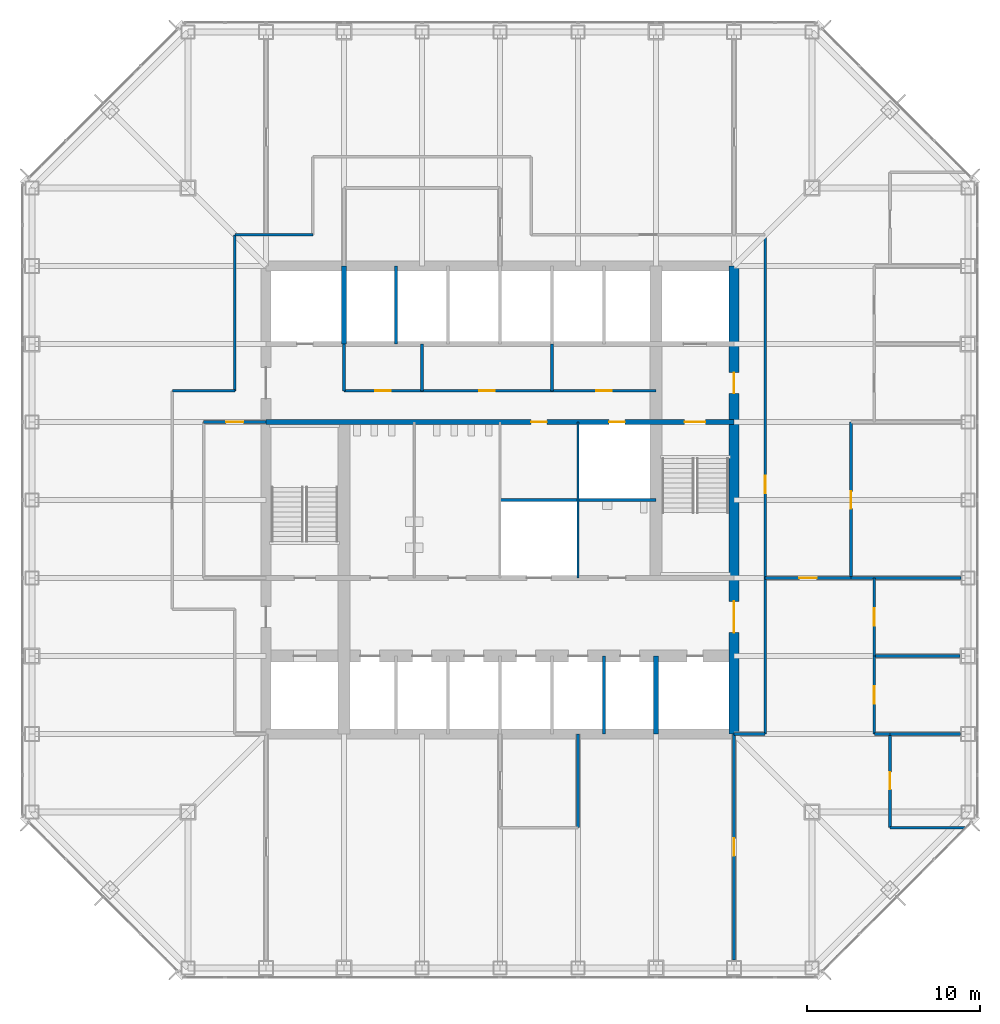
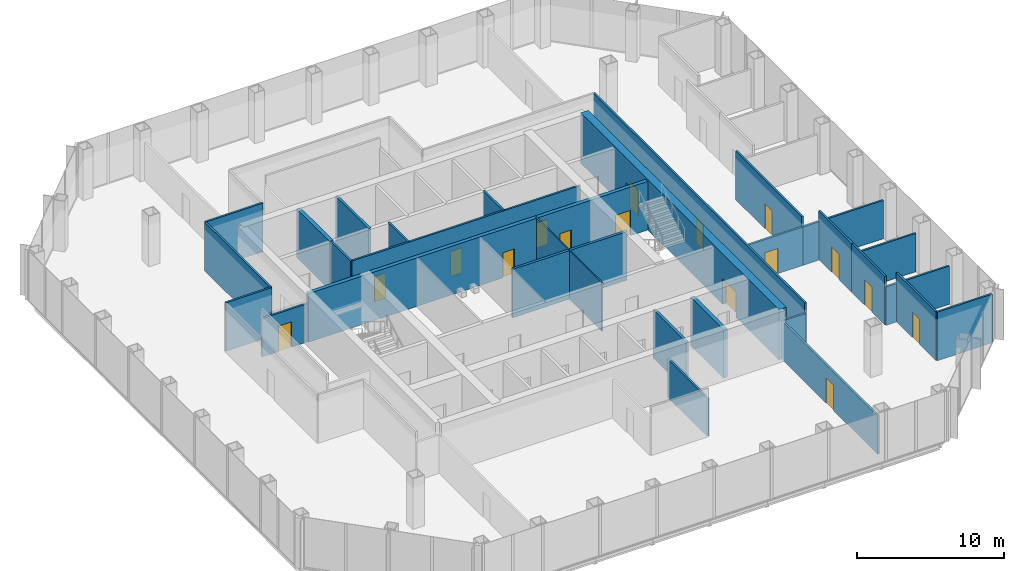
# One storey, part 9 of 12: 30 walls, 16 doors, 16 openings.
"""IFC4 building model written with IfcOpenShell, lengths in metres."""

from ifc_helpers import new_model, si_unit, direction, frame, frame_2d, origin, place, context, subcontext, project, spatial, rectangle, extrude, material, layer, layer_set, type_object, element, fill, save


model = new_model("IFC4")

# Units and contexts
model_context = context("Model", 3, precision=1e-05, world=origin(), true_north=direction((0.0, 1.0)))
body_context = subcontext(model_context, "Body", "Model", "MODEL_VIEW")
ifc_project = project(units=[si_unit("LENGTHUNIT", "METRE"), si_unit("AREAUNIT", "SQUARE_METRE"), si_unit("VOLUMEUNIT", "CUBIC_METRE"), si_unit("PLANEANGLEUNIT", "RADIAN"), si_unit("MASSUNIT", "GRAM", prefix="KILO")], contexts=[model_context])

# Site, building, storey
site_placement = place(None, origin())
site = spatial("IfcSite", under=ifc_project, at=site_placement, CompositionType="ELEMENT")
building_placement = place(site_placement, origin())
building = spatial("IfcBuilding", under=site, at=building_placement, Name="Corais Broadcast Tower", CompositionType="ELEMENT")
storey_placement = place(building_placement, frame((0.0, 0.0, 71.0)))
storey = spatial("IfcBuildingStorey", under=building, at=storey_placement, Name="L15", CompositionType="ELEMENT", Elevation=71.0)

# Walls
ifc_material_1 = material(Name="Concrete blockwork class A, grouted, two-hour", Category="masonry")
ifc_layer_1 = layer(ifc_material_1, 0.300048828125)
ifc_layer_set_1 = layer_set([ifc_layer_1], Name="Concrete blockwork class A, grouted, two-hour")
wall_type_1 = type_object("IfcWallType", Name="Core lobby wall 300", PredefinedType="SOLIDWALL", material=ifc_layer_set_1)
for number, where, z_axis, x_axis, name in (
    (1, (18.0, 36.0, 0.0), (0.0, 0.0, 1.0), (0.0, 1.0, 0.0), "CL1 core shaft wall X18B L15"),
    (2, (36.0, 13.5, 0.0), (0.0, 0.0, 1.0), (0.0, 1.0, 0.0), "CL1 core shaft wall X36A L15"),
):
    element("IfcWall", number, at=place(storey_placement, frame(where, z_axis=z_axis, x_axis=x_axis)), inside=storey, type_object=wall_type_1, Name=name, PredefinedType="SOLIDWALL", context=body_context, shape_type="SweptSolid", body=[
        extrude(rectangle(XDim=4.5, YDim=0.300048828125, at=frame_2d((2.25, 0.0))), origin(), (0.0, 0.0, 1.0), 4.0400390625),
    ])

# Wall, openings, doors
wall_1_placement = place(storey_placement, frame((13.5, 31.5, 0.0), z_axis=(0.0, 0.0, 1.0), x_axis=(1.0, 0.0, 0.0)))
wall_1 = element("IfcWall", 3, at=wall_1_placement, inside=storey, type_object=wall_type_1, Name="CL1 core lobby wall Y315 L15", PredefinedType="SOLIDWALL", context=body_context, shape_type="SweptSolid", body=[
    extrude(rectangle(XDim=27.0, YDim=0.300048828125, at=frame_2d((13.5, 0.0))), origin(), (0.0, 0.0, 1.0), 4.0400390625),
])
opening_1_placement = place(wall_1_placement, frame((24.14990234375, 0.0, 0.0)))
opening_1 = element("IfcOpeningElement", 4, at=opening_1_placement, cuts=wall_1, Name="Opening FD1", PredefinedType="OPENING", context=body_context, shape_type="SweptSolid", body=[
    extrude(rectangle(XDim=1.199951171875, YDim=2.10009765625, at=frame_2d((0.60009765625, 1.050048828125))), frame((0.0, 0.159912109375, 0.0), z_axis=(0.0, -1.0, 0.0), x_axis=(1.0, 0.0, 0.0)), (0.0, 0.0, 1.0), 0.320068359375),
])
opening_2_placement = place(wall_1_placement, frame((15.300048828125, 0.0, 0.0)))
opening_2 = element("IfcOpeningElement", 5, at=opening_2_placement, cuts=wall_1, Name="Opening RD1", PredefinedType="OPENING", context=body_context, shape_type="SweptSolid", body=[
    extrude(rectangle(XDim=0.89990234375, YDim=2.10009765625, at=frame_2d((0.449951171875, 1.050048828125))), frame((0.0, 0.159912109375, 0.0), z_axis=(0.0, -1.0, 0.0), x_axis=(1.0, 0.0, 0.0)), (0.0, 0.0, 1.0), 0.320068359375),
])
opening_3_placement = place(wall_1_placement, frame((19.800048828125, 0.0, 0.0)))
opening_3 = element("IfcOpeningElement", 6, at=opening_3_placement, cuts=wall_1, Name="Opening RD1", PredefinedType="OPENING", context=body_context, shape_type="SweptSolid", body=[
    extrude(rectangle(XDim=0.89990234375, YDim=2.10009765625, at=frame_2d((0.449951171875, 1.050048828125))), frame((0.0, 0.159912109375, 0.0), z_axis=(0.0, -1.0, 0.0), x_axis=(1.0, 0.0, 0.0)), (0.0, 0.0, 1.0), 0.320068359375),
])
ifc_material_2 = material(Name="Steel fire door", Category="steel")
door_type_1 = type_object("IfcDoorType", Name="Fire door 1200x2100", OperationType="SINGLE_SWING_LEFT", PredefinedType="DOOR", material=ifc_material_2)
door_1_placement = place(opening_1_placement, origin())
door_1 = element("IfcDoor", 7, at=door_1_placement, inside=storey, type_object=door_type_1, Name="FD1 stair B door L15", OperationType="SINGLE_SWING_RIGHT", OverallHeight=2.10009765625, OverallWidth=1.199951171875, PredefinedType="DOOR", context=body_context, shape_type="SweptSolid", body=[
    extrude(rectangle(XDim=1.199951171875, YDim=2.10009765625, at=frame_2d((0.60009765625, 1.050048828125))), frame((0.0, 0.02490234375, 0.0), z_axis=(0.0, -1.0, 0.0), x_axis=(1.0, 0.0, 0.0)), (0.0, 0.0, 1.0), 0.050048828125),
])
fill(opening_1, door_1)
ifc_material_3 = material(Name="Steel fire door", Category="steel")
door_type_2 = type_object("IfcDoorType", Name="Riser door 900x2100", OperationType="SINGLE_SWING_LEFT", PredefinedType="DOOR", material=ifc_material_3)
door_2_placement = place(opening_2_placement, origin())
door_2 = element("IfcDoor", 8, at=door_2_placement, inside=storey, type_object=door_type_2, Name="RD1 cleaner's store door L15", OperationType="SINGLE_SWING_RIGHT", OverallHeight=2.10009765625, OverallWidth=0.89990234375, PredefinedType="DOOR", context=body_context, shape_type="SweptSolid", body=[
    extrude(rectangle(XDim=0.89990234375, YDim=2.10009765625, at=frame_2d((0.449951171875, 1.050048828125))), frame((0.0, 0.02490234375, 0.0), z_axis=(0.0, -1.0, 0.0), x_axis=(1.0, 0.0, 0.0)), (0.0, 0.0, 1.0), 0.050048828125),
])
fill(opening_2, door_2)
door_3_placement = place(opening_3_placement, origin())
door_3 = element("IfcDoor", 9, at=door_3_placement, inside=storey, type_object=door_type_2, Name="RD1 riser door L15", OperationType="SINGLE_SWING_RIGHT", OverallHeight=2.10009765625, OverallWidth=0.89990234375, PredefinedType="DOOR", context=body_context, shape_type="SweptSolid", body=[
    extrude(rectangle(XDim=0.89990234375, YDim=2.10009765625, at=frame_2d((0.449951171875, 1.050048828125))), frame((0.0, 0.02490234375, 0.0), z_axis=(0.0, -1.0, 0.0), x_axis=(1.0, 0.0, 0.0)), (0.0, 0.0, 1.0), 0.050048828125),
])
fill(opening_3, door_3)

ifc_material_4 = material(Name="Concrete C50/60", Category="concrete")
ifc_layer_2 = layer(ifc_material_4, 0.60009765625)
ifc_layer_set_2 = layer_set([ifc_layer_2], Name="Concrete C50/60")
wall_type_2 = type_object("IfcWallType", Name="Core wall 600", PredefinedType="SHEAR", material=ifc_layer_set_2)
wall_2_placement = place(storey_placement, frame((40.5, 13.5, 0.0), z_axis=(0.0, 0.0, 1.0), x_axis=(0.0, 1.0, 0.0)))
wall_2 = element("IfcWall", 10, at=wall_2_placement, inside=storey, type_object=wall_type_2, Name="CR600 core wall E L15", PredefinedType="SHEAR", context=body_context, shape_type="SweptSolid", body=[
    extrude(rectangle(XDim=27.0, YDim=0.60009765625, at=frame_2d((13.5, 0.0))), origin(), (0.0, 0.0, 1.0), 4.199951171875),
])
opening_4_placement = place(wall_2_placement, frame((5.85009765625, 0.0, 0.0)))
opening_4 = element("IfcOpeningElement", 11, at=opening_4_placement, cuts=wall_2, Name="Opening FD2", PredefinedType="OPENING", context=body_context, shape_type="SweptSolid", body=[
    extrude(rectangle(XDim=1.800048828125, YDim=2.10009765625, at=frame_2d((0.89990234375, 1.050048828125))), frame((0.0, 0.31005859375, 0.0), z_axis=(0.0, -1.0, 0.0), x_axis=(1.0, 0.0, 0.0)), (0.0, 0.0, 1.0), 0.6201171875),
])
opening_5_placement = place(wall_2_placement, frame((19.64990234375, 0.0, 0.0)))
opening_5 = element("IfcOpeningElement", 12, at=opening_5_placement, cuts=wall_2, Name="Opening FD1", PredefinedType="OPENING", context=body_context, shape_type="SweptSolid", body=[
    extrude(rectangle(XDim=1.199951171875, YDim=2.10009765625, at=frame_2d((0.60009765625, 1.050048828125))), frame((0.0, 0.31005859375, 0.0), z_axis=(0.0, -1.0, 0.0), x_axis=(1.0, 0.0, 0.0)), (0.0, 0.0, 1.0), 0.6201171875),
])
door_4_placement = place(opening_5_placement, origin())
door_4 = element("IfcDoor", 13, at=door_4_placement, inside=storey, type_object=door_type_1, Name="FD1 fire lobby B door L15", OperationType="SINGLE_SWING_RIGHT", OverallHeight=2.10009765625, OverallWidth=1.199951171875, PredefinedType="DOOR", context=body_context, shape_type="SweptSolid", body=[
    extrude(rectangle(XDim=1.199951171875, YDim=2.10009765625, at=frame_2d((0.60009765625, 1.050048828125))), frame((0.0, 0.02490234375, 0.0), z_axis=(0.0, -1.0, 0.0), x_axis=(1.0, 0.0, 0.0)), (0.0, 0.0, 1.0), 0.050048828125),
])
fill(opening_5, door_4)
ifc_material_5 = material(Name="Steel fire door", Category="steel")
door_type_3 = type_object("IfcDoorType", Name="Fire door pair 1800x2100", OperationType="DOUBLE_DOOR_SINGLE_SWING", PredefinedType="DOOR", material=ifc_material_5)
door_5_placement = place(opening_4_placement, origin())
door_5 = element("IfcDoor", 14, at=door_5_placement, inside=storey, type_object=door_type_3, Name="FD2 lift lobby door L15", OperationType="SINGLE_SWING_LEFT", OverallHeight=2.10009765625, OverallWidth=1.800048828125, PredefinedType="DOOR", context=body_context, shape_type="SweptSolid", body=[
    extrude(rectangle(XDim=1.800048828125, YDim=2.10009765625, at=frame_2d((0.89990234375, 1.050048828125))), frame((0.0, 0.02490234375, 0.0), z_axis=(0.0, -1.0, 0.0), x_axis=(1.0, 0.0, 0.0)), (0.0, 0.0, 1.0), 0.050048828125),
])
fill(opening_4, door_5)

ifc_material_6 = material(Name="Two layers of fire-rated gypsum board each side on steel studs", Category="steel")
ifc_layer_3 = layer(ifc_material_6, 0.14990234375)
ifc_layer_set_3 = layer_set([ifc_layer_3], Name="Two layers of fire-rated gypsum board each side on steel studs")
wall_type_3 = type_object("IfcWallType", Name="Fire-rated partition 150 EI 60", PredefinedType="PARTITIONING", material=ifc_layer_set_3)
wall_3_placement = place(storey_placement, frame((18.0, 33.300048828125, 0.0), z_axis=(0.0, 0.0, 1.0), x_axis=(1.0, 0.0, 0.0)))
wall_3 = element("IfcWall", 15, at=wall_3_placement, inside=storey, type_object=wall_type_3, Name="IW7 partition L15", PredefinedType="PARTITIONING", context=body_context, shape_type="SweptSolid", body=[
    extrude(rectangle(XDim=18.0, YDim=0.14990234375, at=frame_2d((9.0, 0.0))), origin(), (0.0, 0.0, 1.0), 4.0400390625),
])
opening_6_placement = place(wall_3_placement, frame((1.800048828125, 0.0, 0.0)))
opening_6 = element("IfcOpeningElement", 16, at=opening_6_placement, cuts=wall_3, Name="Opening RD1", PredefinedType="OPENING", context=body_context, shape_type="SweptSolid", body=[
    extrude(rectangle(XDim=0.89990234375, YDim=2.10009765625, at=frame_2d((0.449951171875, 1.050048828125))), frame((0.0, 0.0849609375, 0.0), z_axis=(0.0, -1.0, 0.0), x_axis=(1.0, 0.0, 0.0)), (0.0, 0.0, 1.0), 0.169921875),
])
opening_7_placement = place(wall_3_placement, frame((7.800048828125, 0.0, 0.0)))
opening_7 = element("IfcOpeningElement", 17, at=opening_7_placement, cuts=wall_3, Name="Opening RD1", PredefinedType="OPENING", context=body_context, shape_type="SweptSolid", body=[
    extrude(rectangle(XDim=0.89990234375, YDim=2.10009765625, at=frame_2d((0.449951171875, 1.050048828125))), frame((0.0, 0.0849609375, 0.0), z_axis=(0.0, -1.0, 0.0), x_axis=(1.0, 0.0, 0.0)), (0.0, 0.0, 1.0), 0.169921875),
])
opening_8_placement = place(wall_3_placement, frame((14.550048828125, 0.0, 0.0)))
opening_8 = element("IfcOpeningElement", 18, at=opening_8_placement, cuts=wall_3, Name="Opening RD1", PredefinedType="OPENING", context=body_context, shape_type="SweptSolid", body=[
    extrude(rectangle(XDim=0.89990234375, YDim=2.10009765625, at=frame_2d((0.449951171875, 1.050048828125))), frame((0.0, 0.0849609375, 0.0), z_axis=(0.0, -1.0, 0.0), x_axis=(1.0, 0.0, 0.0)), (0.0, 0.0, 1.0), 0.169921875),
])
door_6_placement = place(opening_6_placement, origin())
door_6 = element("IfcDoor", 19, at=door_6_placement, inside=storey, type_object=door_type_2, Name="RD1 first aid room door L15", OperationType="SINGLE_SWING_LEFT", OverallHeight=2.10009765625, OverallWidth=0.89990234375, PredefinedType="DOOR", context=body_context, shape_type="SweptSolid", body=[
    extrude(rectangle(XDim=0.89990234375, YDim=2.10009765625, at=frame_2d((0.449951171875, 1.050048828125))), frame((0.0, 0.02490234375, 0.0), z_axis=(0.0, -1.0, 0.0), x_axis=(1.0, 0.0, 0.0)), (0.0, 0.0, 1.0), 0.050048828125),
])
fill(opening_6, door_6)
door_7_placement = place(opening_7_placement, origin())
door_7 = element("IfcDoor", 20, at=door_7_placement, inside=storey, type_object=door_type_2, Name="RD1 print room door L15", OperationType="SINGLE_SWING_LEFT", OverallHeight=2.10009765625, OverallWidth=0.89990234375, PredefinedType="DOOR", context=body_context, shape_type="SweptSolid", body=[
    extrude(rectangle(XDim=0.89990234375, YDim=2.10009765625, at=frame_2d((0.449951171875, 1.050048828125))), frame((0.0, 0.02490234375, 0.0), z_axis=(0.0, -1.0, 0.0), x_axis=(1.0, 0.0, 0.0)), (0.0, 0.0, 1.0), 0.050048828125),
])
fill(opening_7, door_7)
door_8_placement = place(opening_8_placement, origin())
door_8 = element("IfcDoor", 21, at=door_8_placement, inside=storey, type_object=door_type_2, Name="RD1 comms room door L15", OperationType="SINGLE_SWING_RIGHT", OverallHeight=2.10009765625, OverallWidth=0.89990234375, PredefinedType="DOOR", context=body_context, shape_type="SweptSolid", body=[
    extrude(rectangle(XDim=0.89990234375, YDim=2.10009765625, at=frame_2d((0.449951171875, 1.050048828125))), frame((0.0, 0.02490234375, 0.0), z_axis=(0.0, -1.0, 0.0), x_axis=(1.0, 0.0, 0.0)), (0.0, 0.0, 1.0), 0.050048828125),
])
fill(opening_8, door_8)

# Walls
for number, where, z_axis, x_axis, name in (
    (22, (18.0, 33.300048828125, 0.0), (0.0, 0.0, 1.0), (0.0, 1.0, 0.0), "IW7 partition L15"),
    (23, (22.5, 33.300048828125, 0.0), (0.0, 0.0, 1.0), (0.0, 1.0, 0.0), "IW7 partition L15"),
    (24, (30.0, 33.300048828125, 0.0), (0.0, 0.0, 1.0), (0.0, 1.0, 0.0), "IW7 partition L15"),
):
    element("IfcWall", number, at=place(storey_placement, frame(where, z_axis=z_axis, x_axis=x_axis)), inside=storey, type_object=wall_type_3, Name=name, PredefinedType="PARTITIONING", context=body_context, shape_type="SweptSolid", body=[
        extrude(rectangle(XDim=2.699951171875, YDim=0.14990234375, at=frame_2d((1.35009765625, 0.0))), origin(), (0.0, 0.0, 1.0), 4.0400390625),
    ])

# Wall, opening, door
ifc_material_7 = material(Name="Gypsum board on steel studs", Category="steel")
ifc_layer_4 = layer(ifc_material_7, 0.14990234375)
ifc_layer_set_4 = layer_set([ifc_layer_4], Name="Gypsum board on steel studs")
wall_type_4 = type_object("IfcWallType", Name="Partition 150", PredefinedType="PARTITIONING", material=ifc_layer_set_4)
wall_4_placement = place(storey_placement, frame((42.300048828125, 13.5, 0.0), z_axis=(0.0, 0.0, 1.0), x_axis=(0.0, 1.0, 0.0)))
wall_4 = element("IfcWall", 25, at=wall_4_placement, inside=storey, type_object=wall_type_4, Name="IW3 corridor wall L15", PredefinedType="PARTITIONING", context=body_context, shape_type="SweptSolid", body=[
    extrude(rectangle(XDim=28.800048828125, YDim=0.14990234375, at=frame_2d((14.39990234375, 0.0))), origin(), (0.0, 0.0, 1.0), 4.0400390625),
])
opening_9_placement = place(wall_4_placement, frame((13.89990234375, 0.0, 0.0)))
opening_9 = element("IfcOpeningElement", 26, at=opening_9_placement, cuts=wall_4, Name="Opening D1", PredefinedType="OPENING", context=body_context, shape_type="SweptSolid", body=[
    extrude(rectangle(XDim=1.0, YDim=2.10009765625, at=frame_2d((0.5, 1.050048828125))), frame((0.0, 0.0849609375, 0.0), z_axis=(0.0, -1.0, 0.0), x_axis=(1.0, 0.0, 0.0)), (0.0, 0.0, 1.0), 0.169921875),
])
ifc_material_8 = material(Name="Timber door", Category="wood")
door_type_4 = type_object("IfcDoorType", Name="Single door 1000x2100", OperationType="SINGLE_SWING_LEFT", PredefinedType="DOOR", material=ifc_material_8)
door_9_placement = place(opening_9_placement, origin())
door_9 = element("IfcDoor", 27, at=door_9_placement, inside=storey, type_object=door_type_4, Name="D1 workplace door L15", OperationType="SINGLE_SWING_LEFT", OverallHeight=2.10009765625, OverallWidth=1.0, PredefinedType="DOOR", context=body_context, shape_type="SweptSolid", body=[
    extrude(rectangle(XDim=1.0, YDim=2.10009765625, at=frame_2d((0.5, 1.050048828125))), frame((0.0, 0.02490234375, 0.0), z_axis=(0.0, -1.0, 0.0), x_axis=(1.0, 0.0, 0.0)), (0.0, 0.0, 1.0), 0.050048828125),
])
fill(opening_9, door_9)

# Walls
wall_5_placement = place(storey_placement, frame((11.699951171875, 42.300048828125, 0.0), z_axis=(0.0, 0.0, 1.0), x_axis=(0.0, -1.0, 0.0)))
element("IfcWall", 28, at=wall_5_placement, inside=storey, type_object=wall_type_4, Name="IW3 corridor wall L15", PredefinedType="PARTITIONING", context=body_context, shape_type="SweptSolid", body=[
    extrude(rectangle(XDim=9.0, YDim=0.14990234375, at=frame_2d((4.5, 0.0))), origin(), (0.0, 0.0, 1.0), 4.0400390625),
])
wall_6_placement = place(storey_placement, frame((16.199951171875, 42.300048828125, 0.0), z_axis=(0.0, 0.0, 1.0), x_axis=(-1.0, 0.0, 0.0)))
element("IfcWall", 29, at=wall_6_placement, inside=storey, type_object=wall_type_4, Name="IW3 corridor wall L15", PredefinedType="PARTITIONING", context=body_context, shape_type="SweptSolid", body=[
    extrude(rectangle(XDim=4.5, YDim=0.14990234375, at=frame_2d((2.25, 0.0))), origin(), (0.0, 0.0, 1.0), 4.0400390625),
])
wall_7_placement = place(storey_placement, frame((11.699951171875, 33.300048828125, 0.0), z_axis=(0.0, 0.0, 1.0), x_axis=(-1.0, 0.0, 0.0)))
element("IfcWall", 30, at=wall_7_placement, inside=storey, type_object=wall_type_4, Name="IW3 corridor wall L15", PredefinedType="PARTITIONING", context=body_context, shape_type="SweptSolid", body=[
    extrude(rectangle(XDim=3.599853515625, YDim=0.14990234375, at=frame_2d((1.7998046875, 0.0))), origin(), (0.0, 0.0, 1.0), 4.0400390625),
])
wall_8_placement = place(storey_placement, frame((40.489990234375, 13.5, 0.0), z_axis=(0.0, 0.0, 1.0), x_axis=(1.0, 0.0, 0.0)))
element("IfcWall", 31, at=wall_8_placement, inside=storey, type_object=wall_type_4, Name="IW3 corridor wall L15", PredefinedType="PARTITIONING", context=body_context, shape_type="SweptSolid", body=[
    extrude(rectangle(XDim=1.81005859375, YDim=0.14990234375, at=frame_2d((0.905029296875, 0.0))), origin(), (0.0, 0.0, 1.0), 3.18896484375),
])
wall_9_placement = place(storey_placement, frame((47.25, 22.5, 0.0), z_axis=(0.0, 0.0, 1.0), x_axis=(1.0, 0.0, 0.0)))
element("IfcWall", 32, at=wall_9_placement, inside=storey, type_object=wall_type_4, Name="IW3 partition L15", PredefinedType="PARTITIONING", context=body_context, shape_type="SweptSolid", body=[
    extrude(rectangle(XDim=6.340087890625, YDim=0.14990234375, at=frame_2d((3.169921875, 0.0))), origin(), (0.0, 0.0, 1.0), 3.18896484375),
])

# Wall, opening, door
wall_10_placement = place(storey_placement, frame((47.25, 31.5, 0.0), z_axis=(0.0, 0.0, 1.0), x_axis=(0.0, -1.0, 0.0)))
wall_10 = element("IfcWall", 33, at=wall_10_placement, inside=storey, type_object=wall_type_4, Name="IW3 partition L15", PredefinedType="PARTITIONING", context=body_context, shape_type="SweptSolid", body=[
    extrude(rectangle(XDim=9.0, YDim=0.14990234375, at=frame_2d((4.5, 0.0))), origin(), (0.0, 0.0, 1.0), 4.0400390625),
])
opening_10_placement = place(wall_10_placement, frame((4.0, 0.0, 0.0)))
opening_10 = element("IfcOpeningElement", 34, at=opening_10_placement, cuts=wall_10, Name="Opening D1", PredefinedType="OPENING", context=body_context, shape_type="SweptSolid", body=[
    extrude(rectangle(XDim=1.0, YDim=2.10009765625, at=frame_2d((0.5, 1.050048828125))), frame((0.0, 0.0849609375, 0.0), z_axis=(0.0, -1.0, 0.0), x_axis=(1.0, 0.0, 0.0)), (0.0, 0.0, 1.0), 0.169921875),
])
door_10_placement = place(opening_10_placement, origin())
door_10 = element("IfcDoor", 35, at=door_10_placement, inside=storey, type_object=door_type_4, Name="D1 Client conference room door", OperationType="SINGLE_SWING_LEFT", OverallHeight=2.10009765625, OverallWidth=1.0, PredefinedType="DOOR", context=body_context, shape_type="SweptSolid", body=[
    extrude(rectangle(XDim=1.0, YDim=2.10009765625, at=frame_2d((0.5, 1.050048828125))), frame((0.0, 0.02490234375, 0.0), z_axis=(0.0, -1.0, 0.0), x_axis=(1.0, 0.0, 0.0)), (0.0, 0.0, 1.0), 0.050048828125),
])
fill(opening_10, door_10)

# Walls
wall_11_placement = place(storey_placement, frame((49.5, 8.10009765625, 0.0), z_axis=(0.0, 0.0, 1.0), x_axis=(1.0, 0.0, 0.0)))
element("IfcWall", 36, at=wall_11_placement, inside=storey, type_object=wall_type_4, Name="IW3 partition L15", PredefinedType="PARTITIONING", context=body_context, shape_type="SweptSolid", body=[
    extrude(rectangle(XDim=4.33544921875, YDim=0.14990234375, at=frame_2d((2.167724609375, 0.0))), origin(), (0.0, 0.0, 1.0), 4.0400390625),
])
wall_12_placement = place(storey_placement, frame((53.56494140625, 13.5, 0.0), z_axis=(0.0, 0.0, 1.0), x_axis=(-1.0, 0.0, 0.0)))
element("IfcWall", 37, at=wall_12_placement, inside=storey, type_object=wall_type_4, Name="IW3 partition L15", PredefinedType="PARTITIONING", context=body_context, shape_type="SweptSolid", body=[
    extrude(rectangle(XDim=4.06494140625, YDim=0.14990234375, at=frame_2d((2.032470703125, 0.0))), origin(), (0.0, 0.0, 1.0), 3.18896484375),
])

# Wall, opening, door
wall_13_placement = place(storey_placement, frame((49.5, 13.5, 0.0), z_axis=(0.0, 0.0, 1.0), x_axis=(0.0, -1.0, 0.0)))
wall_13 = element("IfcWall", 38, at=wall_13_placement, inside=storey, type_object=wall_type_4, Name="IW3 partition L15", PredefinedType="PARTITIONING", context=body_context, shape_type="SweptSolid", body=[
    extrude(rectangle(XDim=5.39990234375, YDim=0.14990234375, at=frame_2d((2.699951171875, 0.0))), origin(), (0.0, 0.0, 1.0), 4.0400390625),
])
opening_11_placement = place(wall_13_placement, frame((2.199951171875, 0.0, 0.0)))
opening_11 = element("IfcOpeningElement", 39, at=opening_11_placement, cuts=wall_13, Name="Opening D1", PredefinedType="OPENING", context=body_context, shape_type="SweptSolid", body=[
    extrude(rectangle(XDim=1.0, YDim=2.10009765625, at=frame_2d((0.5, 1.050048828125))), frame((0.0, 0.0849609375, 0.0), z_axis=(0.0, -1.0, 0.0), x_axis=(1.0, 0.0, 0.0)), (0.0, 0.0, 1.0), 0.169921875),
])
door_11_placement = place(opening_11_placement, origin())
door_11 = element("IfcDoor", 40, at=door_11_placement, inside=storey, type_object=door_type_4, Name="D1 Sales office door", OperationType="SINGLE_SWING_LEFT", OverallHeight=2.10009765625, OverallWidth=1.0, PredefinedType="DOOR", context=body_context, shape_type="SweptSolid", body=[
    extrude(rectangle(XDim=1.0, YDim=2.10009765625, at=frame_2d((0.5, 1.050048828125))), frame((0.0, 0.02490234375, 0.0), z_axis=(0.0, -1.0, 0.0), x_axis=(1.0, 0.0, 0.0)), (0.0, 0.0, 1.0), 0.050048828125),
])
fill(opening_11, door_11)

# Walls
wall_14_placement = place(storey_placement, frame((48.60009765625, 13.5, 0.0), z_axis=(0.0, 0.0, 1.0), x_axis=(1.0, 0.0, 0.0)))
element("IfcWall", 41, at=wall_14_placement, inside=storey, type_object=wall_type_4, Name="IW3 partition L15", PredefinedType="PARTITIONING", context=body_context, shape_type="SweptSolid", body=[
    extrude(rectangle(XDim=0.89990234375, YDim=0.14990234375, at=frame_2d((0.449951171875, 0.0))), origin(), (0.0, 0.0, 1.0), 3.18896484375),
])
wall_15_placement = place(storey_placement, frame((53.5400390625, 18.0, 0.0), z_axis=(0.0, 0.0, 1.0), x_axis=(-1.0, 0.0, 0.0)))
element("IfcWall", 42, at=wall_15_placement, inside=storey, type_object=wall_type_4, Name="IW3 partition L15", PredefinedType="PARTITIONING", context=body_context, shape_type="SweptSolid", body=[
    extrude(rectangle(XDim=4.93994140625, YDim=0.14990234375, at=frame_2d((2.469970703125, 0.0))), origin(), (0.0, 0.0, 1.0), 3.18896484375),
])

# Wall, opening, door
wall_16_placement = place(storey_placement, frame((48.60009765625, 18.0, 0.0), z_axis=(0.0, 0.0, 1.0), x_axis=(0.0, -1.0, 0.0)))
wall_16 = element("IfcWall", 43, at=wall_16_placement, inside=storey, type_object=wall_type_4, Name="IW3 partition L15", PredefinedType="PARTITIONING", context=body_context, shape_type="SweptSolid", body=[
    extrude(rectangle(XDim=4.5, YDim=0.14990234375, at=frame_2d((2.25, 0.0))), origin(), (0.0, 0.0, 1.0), 4.0400390625),
])
opening_12_placement = place(wall_16_placement, frame((1.75, 0.0, 0.0)))
opening_12 = element("IfcOpeningElement", 44, at=opening_12_placement, cuts=wall_16, Name="Opening D1", PredefinedType="OPENING", context=body_context, shape_type="SweptSolid", body=[
    extrude(rectangle(XDim=1.0, YDim=2.10009765625, at=frame_2d((0.5, 1.050048828125))), frame((0.0, 0.0849609375, 0.0), z_axis=(0.0, -1.0, 0.0), x_axis=(1.0, 0.0, 0.0)), (0.0, 0.0, 1.0), 0.169921875),
])
door_12_placement = place(opening_12_placement, origin())
door_12 = element("IfcDoor", 45, at=door_12_placement, inside=storey, type_object=door_type_4, Name="D1 Sales office door", OperationType="SINGLE_SWING_LEFT", OverallHeight=2.10009765625, OverallWidth=1.0, PredefinedType="DOOR", context=body_context, shape_type="SweptSolid", body=[
    extrude(rectangle(XDim=1.0, YDim=2.10009765625, at=frame_2d((0.5, 1.050048828125))), frame((0.0, 0.02490234375, 0.0), z_axis=(0.0, -1.0, 0.0), x_axis=(1.0, 0.0, 0.0)), (0.0, 0.0, 1.0), 0.050048828125),
])
fill(opening_12, door_12)

wall_17_placement = place(storey_placement, frame((48.60009765625, 22.5, 0.0), z_axis=(0.0, 0.0, 1.0), x_axis=(0.0, -1.0, 0.0)))
wall_17 = element("IfcWall", 46, at=wall_17_placement, inside=storey, type_object=wall_type_4, Name="IW3 partition L15", PredefinedType="PARTITIONING", context=body_context, shape_type="SweptSolid", body=[
    extrude(rectangle(XDim=4.5, YDim=0.14990234375, at=frame_2d((2.25, 0.0))), origin(), (0.0, 0.0, 1.0), 4.0400390625),
])
opening_13_placement = place(wall_17_placement, frame((1.75, 0.0, 0.0)))
opening_13 = element("IfcOpeningElement", 47, at=opening_13_placement, cuts=wall_17, Name="Opening D1", PredefinedType="OPENING", context=body_context, shape_type="SweptSolid", body=[
    extrude(rectangle(XDim=1.0, YDim=2.10009765625, at=frame_2d((0.5, 1.050048828125))), frame((0.0, 0.0849609375, 0.0), z_axis=(0.0, -1.0, 0.0), x_axis=(1.0, 0.0, 0.0)), (0.0, 0.0, 1.0), 0.169921875),
])
door_13_placement = place(opening_13_placement, origin())
door_13 = element("IfcDoor", 48, at=door_13_placement, inside=storey, type_object=door_type_4, Name="D1 Sales office door", OperationType="SINGLE_SWING_LEFT", OverallHeight=2.10009765625, OverallWidth=1.0, PredefinedType="DOOR", context=body_context, shape_type="SweptSolid", body=[
    extrude(rectangle(XDim=1.0, YDim=2.10009765625, at=frame_2d((0.5, 1.050048828125))), frame((0.0, 0.02490234375, 0.0), z_axis=(0.0, -1.0, 0.0), x_axis=(1.0, 0.0, 0.0)), (0.0, 0.0, 1.0), 0.050048828125),
])
fill(opening_13, door_13)

wall_18_placement = place(storey_placement, frame((13.5, 31.5, 0.0), z_axis=(0.0, 0.0, 1.0), x_axis=(-1.0, 0.0, 0.0)))
wall_18 = element("IfcWall", 49, at=wall_18_placement, inside=storey, type_object=wall_type_4, Name="IW3 partition L15", PredefinedType="PARTITIONING", context=body_context, shape_type="SweptSolid", body=[
    extrude(rectangle(XDim=3.60009765625, YDim=0.14990234375, at=frame_2d((1.800048828125, 0.0))), origin(), (0.0, 0.0, 1.0), 3.18896484375),
])
opening_14_placement = place(wall_18_placement, frame((1.300048828125, 0.0, 0.0)))
opening_14 = element("IfcOpeningElement", 50, at=opening_14_placement, cuts=wall_18, Name="Opening D1", PredefinedType="OPENING", context=body_context, shape_type="SweptSolid", body=[
    extrude(rectangle(XDim=1.0, YDim=2.10009765625, at=frame_2d((0.5, 1.050048828125))), frame((0.0, 0.0849609375, 0.0), z_axis=(0.0, -1.0, 0.0), x_axis=(1.0, 0.0, 0.0)), (0.0, 0.0, 1.0), 0.169921875),
])
door_14_placement = place(opening_14_placement, origin())
door_14 = element("IfcDoor", 51, at=door_14_placement, inside=storey, type_object=door_type_4, Name="D1 Pantry door", OperationType="SINGLE_SWING_LEFT", OverallHeight=2.10009765625, OverallWidth=1.0, PredefinedType="DOOR", context=body_context, shape_type="SweptSolid", body=[
    extrude(rectangle(XDim=1.0, YDim=2.10009765625, at=frame_2d((0.5, 1.050048828125))), frame((0.0, 0.02490234375, 0.0), z_axis=(0.0, -1.0, 0.0), x_axis=(1.0, 0.0, 0.0)), (0.0, 0.0, 1.0), 0.050048828125),
])
fill(opening_14, door_14)

# Wall
wall_19_placement = place(storey_placement, frame((31.5, 8.10009765625, 0.0), z_axis=(0.0, 0.0, 1.0), x_axis=(0.0, 1.0, 0.0)))
element("IfcWall", 52, at=wall_19_placement, inside=storey, type_object=wall_type_4, Name="IW3 partition L15", PredefinedType="PARTITIONING", context=body_context, shape_type="SweptSolid", body=[
    extrude(rectangle(XDim=5.39990234375, YDim=0.14990234375, at=frame_2d((2.699951171875, 0.0))), origin(), (0.0, 0.0, 1.0), 3.18896484375),
])

# Wall, opening, door
wall_20_placement = place(storey_placement, frame((47.25, 22.5, 0.0), z_axis=(0.0, 0.0, 1.0), x_axis=(-1.0, 0.0, 0.0)))
wall_20 = element("IfcWall", 53, at=wall_20_placement, inside=storey, type_object=wall_type_4, Name="IW3 partition L15", PredefinedType="PARTITIONING", context=body_context, shape_type="SweptSolid", body=[
    extrude(rectangle(XDim=4.949951171875, YDim=0.14990234375, at=frame_2d((2.47509765625, 0.0))), origin(), (0.0, 0.0, 1.0), 3.18896484375),
])
opening_15_placement = place(wall_20_placement, frame((1.97509765625, 0.0, 0.0)))
opening_15 = element("IfcOpeningElement", 54, at=opening_15_placement, cuts=wall_20, Name="Opening D1", PredefinedType="OPENING", context=body_context, shape_type="SweptSolid", body=[
    extrude(rectangle(XDim=1.0, YDim=2.10009765625, at=frame_2d((0.5, 1.050048828125))), frame((0.0, 0.0849609375, 0.0), z_axis=(0.0, -1.0, 0.0), x_axis=(1.0, 0.0, 0.0)), (0.0, 0.0, 1.0), 0.169921875),
])
door_15_placement = place(opening_15_placement, origin())
door_15 = element("IfcDoor", 55, at=door_15_placement, inside=storey, type_object=door_type_4, Name="D1 team room door L15", OperationType="SINGLE_SWING_LEFT", OverallHeight=2.10009765625, OverallWidth=1.0, PredefinedType="DOOR", context=body_context, shape_type="SweptSolid", body=[
    extrude(rectangle(XDim=1.0, YDim=2.10009765625, at=frame_2d((0.5, 1.050048828125))), frame((0.0, 0.02490234375, 0.0), z_axis=(0.0, -1.0, 0.0), x_axis=(1.0, 0.0, 0.0)), (0.0, 0.0, 1.0), 0.050048828125),
])
fill(opening_15, door_15)

wall_21_placement = place(storey_placement, frame((40.5, 13.5, 0.0), z_axis=(0.0, 0.0, 1.0), x_axis=(0.0, -1.0, 0.0)))
wall_21 = element("IfcWall", 56, at=wall_21_placement, inside=storey, type_object=wall_type_4, Name="IW3 partition L15", PredefinedType="PARTITIONING", context=body_context, shape_type="SweptSolid", body=[
    extrude(rectangle(XDim=13.054931640625, YDim=0.14990234375, at=frame_2d((6.52734375, 0.0))), origin(), (0.0, 0.0, 1.0), 3.18896484375),
])
opening_16_placement = place(wall_21_placement, frame((6.027587890625, 0.0, 0.0)))
opening_16 = element("IfcOpeningElement", 57, at=opening_16_placement, cuts=wall_21, Name="Opening D1", PredefinedType="OPENING", context=body_context, shape_type="SweptSolid", body=[
    extrude(rectangle(XDim=1.0, YDim=2.10009765625, at=frame_2d((0.5, 1.050048828125))), frame((0.0, 0.0849609375, 0.0), z_axis=(0.0, -1.0, 0.0), x_axis=(1.0, 0.0, 0.0)), (0.0, 0.0, 1.0), 0.169921875),
])
door_16_placement = place(opening_16_placement, origin())
door_16 = element("IfcDoor", 58, at=door_16_placement, inside=storey, type_object=door_type_4, Name="D1 team room door L15", OperationType="SINGLE_SWING_LEFT", OverallHeight=2.10009765625, OverallWidth=1.0, PredefinedType="DOOR", context=body_context, shape_type="SweptSolid", body=[
    extrude(rectangle(XDim=1.0, YDim=2.10009765625, at=frame_2d((0.5, 1.050048828125))), frame((0.0, 0.02490234375, 0.0), z_axis=(0.0, -1.0, 0.0), x_axis=(1.0, 0.0, 0.0)), (0.0, 0.0, 1.0), 0.050048828125),
])
fill(opening_16, door_16)

# Walls
ifc_material_9 = material(Name="Concrete blockwork class A, grouted, two-hour", Category="masonry")
ifc_layer_5 = layer(ifc_material_9, 0.199951171875)
ifc_layer_set_5 = layer_set([ifc_layer_5], Name="Concrete blockwork class A, grouted, two-hour")
wall_type_5 = type_object("IfcWallType", Name="Shaft wall 200", PredefinedType="PARTITIONING", material=ifc_layer_set_5)
for number, where, z_axis, x_axis, name in (
    (59, (21.0, 36.0, 0.0), (0.0, 0.0, 1.0), (0.0, 1.0, 0.0), "IW1 shaft wall L15"),
    (60, (33.0, 13.5, 0.0), (0.0, 0.0, 1.0), (0.0, 1.0, 0.0), "IW1 shaft wall L15"),
):
    element("IfcWall", number, at=place(storey_placement, frame(where, z_axis=z_axis, x_axis=x_axis)), inside=storey, type_object=wall_type_5, Name=name, PredefinedType="PARTITIONING", context=body_context, shape_type="SweptSolid", body=[
        extrude(rectangle(XDim=4.5, YDim=0.199951171875, at=frame_2d((2.25, 0.0))), origin(), (0.0, 0.0, 1.0), 4.0400390625),
    ])
wall_22_placement = place(storey_placement, frame((27.0, 27.0, 0.0), z_axis=(0.0, 0.0, 1.0), x_axis=(1.0, 0.0, 0.0)))
element("IfcWall", 61, at=wall_22_placement, inside=storey, type_object=wall_type_5, Name="IW1 shaft wall L15", PredefinedType="PARTITIONING", context=body_context, shape_type="SweptSolid", body=[
    extrude(rectangle(XDim=9.0, YDim=0.199951171875, at=frame_2d((4.5, 0.0))), origin(), (0.0, 0.0, 1.0), 4.0400390625),
])
ifc_material_10 = material(Name="Dense concrete blockwork class A, tiled both faces", Category="masonry")
ifc_layer_6 = layer(ifc_material_10, 0.10009765625)
ifc_layer_set_6 = layer_set([ifc_layer_6], Name="Dense concrete blockwork class A, tiled both faces")
wall_type_6 = type_object("IfcWallType", Name="Toilet wall 100", PredefinedType="PLUMBINGWALL", material=ifc_layer_set_6)
wall_23_placement = place(storey_placement, frame((31.5, 22.5, 0.0), z_axis=(0.0, 0.0, 1.0), x_axis=(0.0, 1.0, 0.0)))
element("IfcWall", 62, at=wall_23_placement, inside=storey, type_object=wall_type_6, Name="IW2 toilet wall L15", PredefinedType="PLUMBINGWALL", context=body_context, shape_type="SweptSolid", body=[
    extrude(rectangle(XDim=9.0, YDim=0.10009765625, at=frame_2d((4.5, 0.0))), origin(), (0.0, 0.0, 1.0), 4.0400390625),
])

save(model, "model.ifc")
